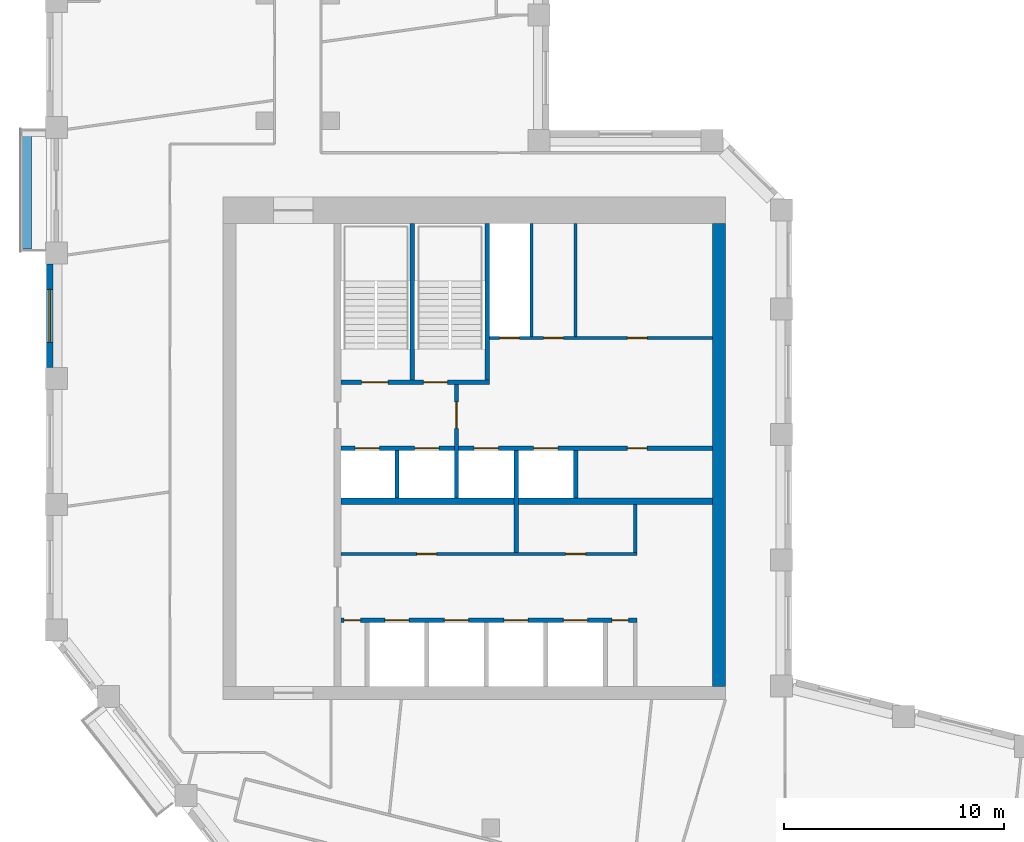
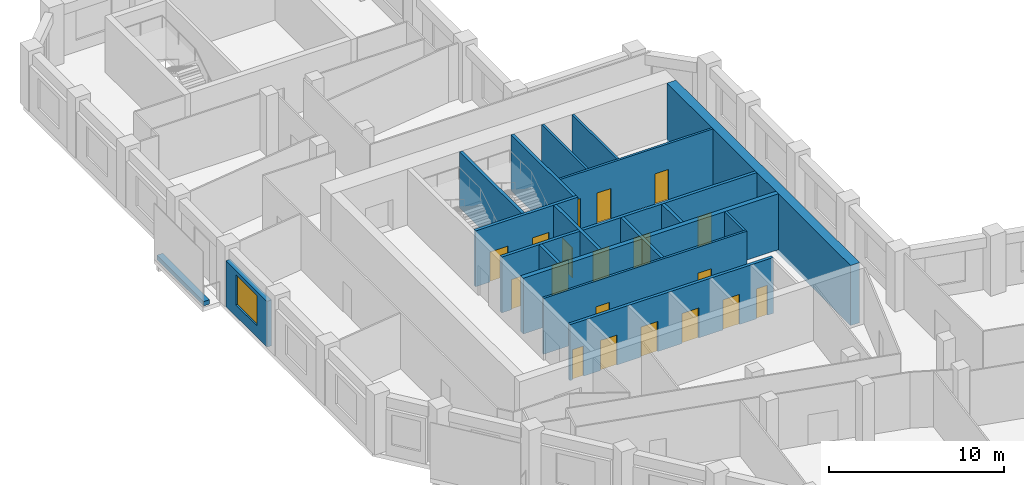
# One storey, part 5 of 9: 19 doors, 18 walls, 1 window, 20 openings.
"""IFC4 building model written with IfcOpenShell, lengths in metres."""

from ifc_helpers import new_model, si_unit, direction, frame, frame_2d, origin, place, context, subcontext, project, spatial, rectangle, extrude, material, layer, layer_set, type_object, element, fill, save


model = new_model("IFC4")

# Units and contexts
model_context = context("Model", 3, precision=1e-05, world=origin(), true_north=direction((0.0, 1.0)))
body_context = subcontext(model_context, "Body", "Model", "MODEL_VIEW")
ifc_project = project(units=[si_unit("LENGTHUNIT", "METRE"), si_unit("AREAUNIT", "SQUARE_METRE"), si_unit("VOLUMEUNIT", "CUBIC_METRE"), si_unit("PLANEANGLEUNIT", "RADIAN"), si_unit("MASSUNIT", "GRAM", prefix="KILO")], contexts=[model_context])

# Site, building, storey
site_placement = place(None, origin())
site = spatial("IfcSite", under=ifc_project, at=site_placement, CompositionType="ELEMENT")
building_placement = place(site_placement, origin())
building = spatial("IfcBuilding", under=site, at=building_placement, Name="Meshkara Civic Tower", CompositionType="ELEMENT")
storey_placement = place(building_placement, frame((0.0, 0.0, 319.199951171875)))
storey = spatial("IfcBuildingStorey", under=building, at=storey_placement, Name="L73", CompositionType="ELEMENT", Elevation=319.199951171875)

# Wall, openings, doors
ifc_material_1 = material(Name="Blockwork", Category="masonry")
ifc_layer_1 = layer(ifc_material_1, 0.14990234375)
ifc_layer_set_1 = layer_set([ifc_layer_1], Name="Core partition 150")
wall_type_1 = type_object("IfcWallType", Name="Core partition 150", PredefinedType="PARTITIONING", material=ifc_layer_set_1)
wall_1_placement = place(storey_placement, frame((13.35009765625, 20.699951171875, 0.0), z_axis=(0.0, 0.0, 1.0), x_axis=(1.0, 0.0, 0.0)))
wall_1 = element("IfcWall", 1, at=wall_1_placement, inside=storey, type_object=wall_type_1, Name="L73-C006", PredefinedType="PARTITIONING", context=body_context, shape_type="SweptSolid", body=[
    extrude(rectangle(XDim=13.4248046875, YDim=0.14990234375, at=frame_2d((6.71240234375, 0.0))), origin(), (0.0, 0.0, 1.0), 3.900146484375),
])
opening_1_placement = place(wall_1_placement, frame((3.449951171875, 0.0, 0.0)))
opening_1 = element("IfcOpeningElement", 2, at=opening_1_placement, cuts=wall_1, Name="Opening L73-K011", PredefinedType="OPENING", context=body_context, shape_type="SweptSolid", body=[
    extrude(rectangle(XDim=0.89990234375, YDim=2.10009765625, at=frame_2d((0.449951171875, 1.050048828125))), frame((0.0, 0.0849609375, 0.0), z_axis=(0.0, -1.0, 0.0), x_axis=(1.0, 0.0, 0.0)), (0.0, 0.0, 1.0), 0.169921875),
])
opening_2_placement = place(wall_1_placement, frame((10.199951171875, 0.0, 0.0)))
opening_2 = element("IfcOpeningElement", 3, at=opening_2_placement, cuts=wall_1, Name="Opening L73-K012", PredefinedType="OPENING", context=body_context, shape_type="SweptSolid", body=[
    extrude(rectangle(XDim=0.89990234375, YDim=2.10009765625, at=frame_2d((0.449951171875, 1.050048828125))), frame((0.0, 0.0849609375, 0.0), z_axis=(0.0, -1.0, 0.0), x_axis=(1.0, 0.0, 0.0)), (0.0, 0.0, 1.0), 0.169921875),
])
ifc_material_2 = material(Name="Timber door leaf in steel frame", Category="steel")
door_type_1 = type_object("IfcDoorType", Name="Core room door 900", OperationType="SINGLE_SWING_LEFT", PredefinedType="DOOR", material=ifc_material_2)
door_1_placement = place(opening_1_placement, origin())
door_1 = element("IfcDoor", 4, at=door_1_placement, inside=storey, type_object=door_type_1, Name="L73-K011", OperationType="SINGLE_SWING_RIGHT", OverallHeight=2.10009765625, OverallWidth=0.89990234375, PredefinedType="DOOR", context=body_context, shape_type="SweptSolid", body=[
    extrude(rectangle(XDim=0.89990234375, YDim=2.10009765625, at=frame_2d((0.449951171875, 1.050048828125))), frame((0.0, 0.02490234375, 0.0), z_axis=(0.0, -1.0, 0.0), x_axis=(1.0, 0.0, 0.0)), (0.0, 0.0, 1.0), 0.050048828125),
])
fill(opening_1, door_1)
door_2_placement = place(opening_2_placement, origin())
door_2 = element("IfcDoor", 5, at=door_2_placement, inside=storey, type_object=door_type_1, Name="L73-K012", OperationType="SINGLE_SWING_RIGHT", OverallHeight=2.10009765625, OverallWidth=0.89990234375, PredefinedType="DOOR", context=body_context, shape_type="SweptSolid", body=[
    extrude(rectangle(XDim=0.89990234375, YDim=2.10009765625, at=frame_2d((0.449951171875, 1.050048828125))), frame((0.0, 0.02490234375, 0.0), z_axis=(0.0, -1.0, 0.0), x_axis=(1.0, 0.0, 0.0)), (0.0, 0.0, 1.0), 0.050048828125),
])
fill(opening_2, door_2)

wall_2_placement = place(storey_placement, frame((20.10009765625, 30.5, 0.0), z_axis=(0.0, 0.0, 1.0), x_axis=(1.0, 0.0, 0.0)))
wall_2 = element("IfcWall", 6, at=wall_2_placement, inside=storey, type_object=wall_type_1, Name="L73-C010", PredefinedType="PARTITIONING", context=body_context, shape_type="SweptSolid", body=[
    extrude(rectangle(XDim=10.099853515625, YDim=0.14990234375, at=frame_2d((5.0498046875, 0.0))), origin(), (0.0, 0.0, 1.0), 3.900146484375),
])
opening_3_placement = place(wall_2_placement, frame((0.449951171875, 0.0, 0.0)))
opening_3 = element("IfcOpeningElement", 7, at=opening_3_placement, cuts=wall_2, Name="Opening L73-K014", PredefinedType="OPENING", context=body_context, shape_type="SweptSolid", body=[
    extrude(rectangle(XDim=0.89990234375, YDim=2.10009765625, at=frame_2d((0.449951171875, 1.050048828125))), frame((0.0, 0.0849609375, 0.0), z_axis=(0.0, -1.0, 0.0), x_axis=(1.0, 0.0, 0.0)), (0.0, 0.0, 1.0), 0.169921875),
])
opening_4_placement = place(wall_2_placement, frame((2.449951171875, 0.0, 0.0)))
opening_4 = element("IfcOpeningElement", 8, at=opening_4_placement, cuts=wall_2, Name="Opening L73-K015", PredefinedType="OPENING", context=body_context, shape_type="SweptSolid", body=[
    extrude(rectangle(XDim=0.89990234375, YDim=2.10009765625, at=frame_2d((0.449951171875, 1.050048828125))), frame((0.0, 0.0849609375, 0.0), z_axis=(0.0, -1.0, 0.0), x_axis=(1.0, 0.0, 0.0)), (0.0, 0.0, 1.0), 0.169921875),
])
opening_5_placement = place(wall_2_placement, frame((6.25, 0.0, 0.0)))
opening_5 = element("IfcOpeningElement", 9, at=opening_5_placement, cuts=wall_2, Name="Opening L73-K016", PredefinedType="OPENING", context=body_context, shape_type="SweptSolid", body=[
    extrude(rectangle(XDim=0.89990234375, YDim=2.10009765625, at=frame_2d((0.449951171875, 1.050048828125))), frame((0.0, 0.0849609375, 0.0), z_axis=(0.0, -1.0, 0.0), x_axis=(1.0, 0.0, 0.0)), (0.0, 0.0, 1.0), 0.169921875),
])
door_3_placement = place(opening_5_placement, origin())
door_3 = element("IfcDoor", 10, at=door_3_placement, inside=storey, type_object=door_type_1, Name="L73-K016", OperationType="SINGLE_SWING_RIGHT", OverallHeight=2.10009765625, OverallWidth=0.89990234375, PredefinedType="DOOR", context=body_context, shape_type="SweptSolid", body=[
    extrude(rectangle(XDim=0.89990234375, YDim=2.10009765625, at=frame_2d((0.449951171875, 1.050048828125))), frame((0.0, 0.02490234375, 0.0), z_axis=(0.0, -1.0, 0.0), x_axis=(1.0, 0.0, 0.0)), (0.0, 0.0, 1.0), 0.050048828125),
])
fill(opening_5, door_3)
ifc_material_3 = material(Name="Fire-rated door leaf in steel frame", Category="steel")
door_type_2 = type_object("IfcDoorType", Name="Riser door 900", OperationType="SINGLE_SWING_LEFT", PredefinedType="DOOR", material=ifc_material_3)
door_4_placement = place(opening_3_placement, origin())
door_4 = element("IfcDoor", 11, at=door_4_placement, inside=storey, type_object=door_type_2, Name="L73-K014", OperationType="SINGLE_SWING_RIGHT", OverallHeight=2.10009765625, OverallWidth=0.89990234375, PredefinedType="DOOR", context=body_context, shape_type="SweptSolid", body=[
    extrude(rectangle(XDim=0.89990234375, YDim=2.10009765625, at=frame_2d((0.449951171875, 1.050048828125))), frame((0.0, 0.02490234375, 0.0), z_axis=(0.0, -1.0, 0.0), x_axis=(1.0, 0.0, 0.0)), (0.0, 0.0, 1.0), 0.050048828125),
])
fill(opening_3, door_4)
ifc_material_4 = material(Name="Timber door leaf in steel frame", Category="steel")
door_type_3 = type_object("IfcDoorType", Name="WC door 900", OperationType="SINGLE_SWING_LEFT", PredefinedType="DOOR", material=ifc_material_4)
door_5_placement = place(opening_4_placement, origin())
door_5 = element("IfcDoor", 12, at=door_5_placement, inside=storey, type_object=door_type_3, Name="L73-K015", OperationType="SINGLE_SWING_LEFT", OverallHeight=2.10009765625, OverallWidth=0.89990234375, PredefinedType="DOOR", context=body_context, shape_type="SweptSolid", body=[
    extrude(rectangle(XDim=0.89990234375, YDim=2.10009765625, at=frame_2d((0.449951171875, 1.050048828125))), frame((0.0, 0.02490234375, 0.0), z_axis=(0.0, -1.0, 0.0), x_axis=(1.0, 0.0, 0.0)), (0.0, 0.0, 1.0), 0.050048828125),
])
fill(opening_4, door_5)

# Walls
for number, where, z_axis, x_axis, name in (
    (13, (22.0, 30.574951171875, 0.0), (0.0, 0.0, 1.0), (0.0, 1.0, 0.0), "L73-C020"),
    (14, (24.0, 30.574951171875, 0.0), (0.0, 0.0, 1.0), (0.0, 1.0, 0.0), "L73-C023"),
):
    element("IfcWall", number, at=place(storey_placement, frame(where, z_axis=z_axis, x_axis=x_axis)), inside=storey, type_object=wall_type_1, Name=name, PredefinedType="PARTITIONING", context=body_context, shape_type="SweptSolid", body=[
        extrude(rectangle(XDim=5.125, YDim=0.14990234375, at=frame_2d((2.5625, 0.0))), origin(), (0.0, 0.0, 1.0), 3.900146484375),
    ])
wall_3_placement = place(storey_placement, frame((26.699951171875, 20.77490234375, 0.0), z_axis=(0.0, 0.0, 1.0), x_axis=(0.0, 1.0, 0.0)))
element("IfcWall", 15, at=wall_3_placement, inside=storey, type_object=wall_type_1, Name="L73-C026", PredefinedType="PARTITIONING", context=body_context, shape_type="SweptSolid", body=[
    extrude(rectangle(XDim=2.175048828125, YDim=0.14990234375, at=frame_2d((1.08740234375, 0.0))), origin(), (0.0, 0.0, 1.0), 3.900146484375),
])
ifc_material_5 = material(Name="Concrete C60", Category="concrete")
ifc_layer_2 = layer(ifc_material_5, 0.60009765625)
ifc_layer_set_2 = layer_set([ifc_layer_2], Name="Core ring wall 600 C60")
wall_type_2 = type_object("IfcWallType", Name="Core ring wall 600 C60", PredefinedType="SHEAR", material=ifc_layer_set_2)
wall_4_placement = place(storey_placement, frame((30.5, 14.699951171875, -0.300048828125), z_axis=(0.0, 0.0, 1.0), x_axis=(0.0, 1.0, 0.0)))
element("IfcWall", 16, at=wall_4_placement, inside=storey, type_object=wall_type_2, Name="L73-C004", PredefinedType="SHEAR", context=body_context, shape_type="SweptSolid", body=[
    extrude(rectangle(XDim=21.0, YDim=0.60009765625, at=frame_2d((10.5, 0.0))), origin(), (0.0, 0.0, 1.0), 4.2001953125),
])
ifc_material_6 = material(Name="Concrete C60", Category="concrete")
ifc_layer_3 = layer(ifc_material_6, 0.300048828125)
ifc_layer_set_3 = layer_set([ifc_layer_3], Name="Core shear wall 300 C60")
wall_type_3 = type_object("IfcWallType", Name="Core shear wall 300 C60", PredefinedType="SHEAR", material=ifc_layer_set_3)
wall_5_placement = place(storey_placement, frame((13.35009765625, 23.10009765625, 0.0), z_axis=(0.0, 0.0, 1.0), x_axis=(1.0, 0.0, 0.0)))
element("IfcWall", 17, at=wall_5_placement, inside=storey, type_object=wall_type_3, Name="L73-C007", PredefinedType="SHEAR", context=body_context, shape_type="SweptSolid", body=[
    extrude(rectangle(XDim=16.849853515625, YDim=0.300048828125, at=frame_2d((8.4248046875, 0.0))), origin(), (0.0, 0.0, 1.0), 3.900146484375),
])

# Wall, opening, window
ifc_material_7 = material(Name="Insulated infill panel with bronze anodised aluminium cladding", Category="aluminium")
ifc_layer_4 = layer(ifc_material_7, 0.300048828125)
ifc_layer_set_4 = layer_set([ifc_layer_4], Name="EXTERNAL INFILL WALL 300")
wall_type_4 = type_object("IfcWallType", Name="EXTERNAL INFILL WALL 300", PredefinedType="SOLIDWALL", material=ifc_layer_set_4)
wall_6_placement = place(storey_placement, frame((0.14990234375, 33.85498046875, 0.0), z_axis=(0.0, 0.0, 1.0), x_axis=(0.0, -1.0, 0.0)))
wall_6 = element("IfcWall", 18, at=wall_6_placement, inside=storey, type_object=wall_type_4, Name="External wall", PredefinedType="SOLIDWALL", context=body_context, shape_type="SweptSolid", body=[
    extrude(rectangle(XDim=4.699951171875, YDim=0.300048828125, at=frame_2d((2.35009765625, 0.0))), origin(), (0.0, 0.0, 1.0), 3.199951171875),
])
opening_6_placement = place(wall_6_placement, frame((1.14990234375, 0.0, 0.800048828125)))
opening_6 = element("IfcOpeningElement", 19, at=opening_6_placement, cuts=wall_6, Name="Opening W7", PredefinedType="OPENING", context=body_context, shape_type="SweptSolid", body=[
    extrude(rectangle(XDim=2.39990234375, YDim=2.10009765625, at=frame_2d((1.199951171875, 1.050048828125))), frame((0.0, 0.159912109375, 0.0), z_axis=(0.0, -1.0, 0.0), x_axis=(1.0, 0.0, 0.0)), (0.0, 0.0, 1.0), 0.320068359375),
])
ifc_material_8 = material(Name="Tinted double glazing", Category="glass")
window_type = type_object("IfcWindowType", Name="WINDOW 2400x2100", PartitioningType="DOUBLE_PANEL_VERTICAL", PredefinedType="WINDOW", material=ifc_material_8)
window_placement = place(opening_6_placement, origin())
window = element("IfcWindow", 20, at=window_placement, inside=storey, type_object=window_type, Name="Window", OverallHeight=2.10009765625, OverallWidth=2.39990234375, PartitioningType="DOUBLE_PANEL_VERTICAL", PredefinedType="WINDOW", context=body_context, shape_type="SweptSolid", body=[
    extrude(rectangle(XDim=2.39990234375, YDim=2.10009765625, at=frame_2d((1.199951171875, 1.050048828125))), frame((0.0, 0.030029296875, 0.0), z_axis=(0.0, -1.0, 0.0), x_axis=(1.0, 0.0, 0.0)), (0.0, 0.0, 1.0), 0.06005859375),
])
fill(opening_6, window)

# Wall
ifc_material_9 = material(Name="Concrete C40", Category="concrete")
ifc_layer_5 = layer(ifc_material_9, 0.39990234375)
ifc_layer_set_5 = layer_set([ifc_layer_5], Name="PLANTER TRAY")
wall_type_5 = type_object("IfcWallType", Name="PLANTER TRAY", PredefinedType="SOLIDWALL", material=ifc_layer_set_5)
wall_7_placement = place(storey_placement, frame((-0.8798828125, 39.885009765625, 0.0), z_axis=(0.0, 0.0, 1.0), x_axis=(0.0, -1.0, 0.0)))
element("IfcWall", 21, at=wall_7_placement, inside=storey, type_object=wall_type_5, Name="Planter", PredefinedType="SOLIDWALL", context=body_context, shape_type="SweptSolid", body=[
    extrude(rectangle(XDim=5.360107421875, YDim=0.39990234375, at=frame_2d((2.68017578125, 0.0))), origin(), (0.0, 0.0, 1.0), 0.300048828125),
])

# Wall, openings, doors
ifc_material_10 = material(Name="Concrete C40/50", Category="concrete")
ifc_layer_6 = layer(ifc_material_10, 0.199951171875)
ifc_layer_set_6 = layer_set([ifc_layer_6], Name="Shaft wall 200 C40/50")
wall_type_6 = type_object("IfcWallType", Name="Shaft wall 200 C40/50", PredefinedType="SOLIDWALL", material=ifc_layer_set_6)
wall_8_placement = place(storey_placement, frame((13.35009765625, 17.699951171875, 0.0), z_axis=(0.0, 0.0, 1.0), x_axis=(1.0, 0.0, 0.0)))
wall_8 = element("IfcWall", 22, at=wall_8_placement, inside=storey, type_object=wall_type_6, Name="L73-C005", PredefinedType="SOLIDWALL", context=body_context, shape_type="SweptSolid", body=[
    extrude(rectangle(XDim=13.4248046875, YDim=0.199951171875, at=frame_2d((6.71240234375, 0.0))), origin(), (0.0, 0.0, 1.0), 3.900146484375),
])
opening_7_placement = place(wall_8_placement, frame((2.0, 0.0, 0.0)))
opening_7 = element("IfcOpeningElement", 23, at=opening_7_placement, cuts=wall_8, Name="Opening L73-K001", PredefinedType="OPENING", context=body_context, shape_type="SweptSolid", body=[
    extrude(rectangle(XDim=1.10009765625, YDim=2.10009765625, at=frame_2d((0.550048828125, 1.050048828125))), frame((0.0, 0.10986328125, 0.0), z_axis=(0.0, -1.0, 0.0), x_axis=(1.0, 0.0, 0.0)), (0.0, 0.0, 1.0), 0.219970703125),
])
opening_8_placement = place(wall_8_placement, frame((4.699951171875, 0.0, 0.0)))
opening_8 = element("IfcOpeningElement", 24, at=opening_8_placement, cuts=wall_8, Name="Opening L73-K002", PredefinedType="OPENING", context=body_context, shape_type="SweptSolid", body=[
    extrude(rectangle(XDim=1.10009765625, YDim=2.10009765625, at=frame_2d((0.550048828125, 1.050048828125))), frame((0.0, 0.10986328125, 0.0), z_axis=(0.0, -1.0, 0.0), x_axis=(1.0, 0.0, 0.0)), (0.0, 0.0, 1.0), 0.219970703125),
])
opening_9_placement = place(wall_8_placement, frame((7.39990234375, 0.0, 0.0)))
opening_9 = element("IfcOpeningElement", 25, at=opening_9_placement, cuts=wall_8, Name="Opening L73-K003", PredefinedType="OPENING", context=body_context, shape_type="SweptSolid", body=[
    extrude(rectangle(XDim=1.10009765625, YDim=2.10009765625, at=frame_2d((0.550048828125, 1.050048828125))), frame((0.0, 0.10986328125, 0.0), z_axis=(0.0, -1.0, 0.0), x_axis=(1.0, 0.0, 0.0)), (0.0, 0.0, 1.0), 0.219970703125),
])
opening_10_placement = place(wall_8_placement, frame((10.10009765625, 0.0, 0.0)))
opening_10 = element("IfcOpeningElement", 26, at=opening_10_placement, cuts=wall_8, Name="Opening L73-K004", PredefinedType="OPENING", context=body_context, shape_type="SweptSolid", body=[
    extrude(rectangle(XDim=1.10009765625, YDim=2.10009765625, at=frame_2d((0.550048828125, 1.050048828125))), frame((0.0, 0.10986328125, 0.0), z_axis=(0.0, -1.0, 0.0), x_axis=(1.0, 0.0, 0.0)), (0.0, 0.0, 1.0), 0.219970703125),
])
opening_11_placement = place(wall_8_placement, frame((0.14990234375, 0.0, 0.0)))
opening_11 = element("IfcOpeningElement", 27, at=opening_11_placement, cuts=wall_8, Name="Opening L73-K009", PredefinedType="OPENING", context=body_context, shape_type="SweptSolid", body=[
    extrude(rectangle(XDim=0.75, YDim=2.10009765625, at=frame_2d((0.375, 1.050048828125))), frame((0.0, 0.10986328125, 0.0), z_axis=(0.0, -1.0, 0.0), x_axis=(1.0, 0.0, 0.0)), (0.0, 0.0, 1.0), 0.219970703125),
])
opening_12_placement = place(wall_8_placement, frame((12.300048828125, 0.0, 0.0)))
opening_12 = element("IfcOpeningElement", 28, at=opening_12_placement, cuts=wall_8, Name="Opening L73-K010", PredefinedType="OPENING", context=body_context, shape_type="SweptSolid", body=[
    extrude(rectangle(XDim=0.75, YDim=2.10009765625, at=frame_2d((0.375, 1.050048828125))), frame((0.0, 0.10986328125, 0.0), z_axis=(0.0, -1.0, 0.0), x_axis=(1.0, 0.0, 0.0)), (0.0, 0.0, 1.0), 0.219970703125),
])
ifc_material_11 = material(Name="Timber door leaf in steel frame", Category="steel")
door_type_4 = type_object("IfcDoorType", Name="Core room door 750", OperationType="SINGLE_SWING_LEFT", PredefinedType="DOOR", material=ifc_material_11)
door_6_placement = place(opening_11_placement, origin())
door_6 = element("IfcDoor", 29, at=door_6_placement, inside=storey, type_object=door_type_4, Name="L73-K009", OperationType="SINGLE_SWING_RIGHT", OverallHeight=2.10009765625, OverallWidth=0.75, PredefinedType="DOOR", context=body_context, shape_type="SweptSolid", body=[
    extrude(rectangle(XDim=0.75, YDim=2.10009765625, at=frame_2d((0.375, 1.050048828125))), frame((0.0, 0.02490234375, 0.0), z_axis=(0.0, -1.0, 0.0), x_axis=(1.0, 0.0, 0.0)), (0.0, 0.0, 1.0), 0.050048828125),
])
fill(opening_11, door_6)
door_7_placement = place(opening_12_placement, origin())
door_7 = element("IfcDoor", 30, at=door_7_placement, inside=storey, type_object=door_type_4, Name="L73-K010", OperationType="SINGLE_SWING_RIGHT", OverallHeight=2.10009765625, OverallWidth=0.75, PredefinedType="DOOR", context=body_context, shape_type="SweptSolid", body=[
    extrude(rectangle(XDim=0.75, YDim=2.10009765625, at=frame_2d((0.375, 1.050048828125))), frame((0.0, 0.02490234375, 0.0), z_axis=(0.0, -1.0, 0.0), x_axis=(1.0, 0.0, 0.0)), (0.0, 0.0, 1.0), 0.050048828125),
])
fill(opening_12, door_7)
ifc_material_12 = material(Name="Stainless steel landing door", Category="steel")
door_type_5 = type_object("IfcDoorType", Name="Lift landing door 1100", OperationType="SLIDING_TO_LEFT", PredefinedType="DOOR", material=ifc_material_12)
door_8_placement = place(opening_7_placement, origin())
door_8 = element("IfcDoor", 31, at=door_8_placement, inside=storey, type_object=door_type_5, Name="L73-K001", OperationType="SLIDING_TO_LEFT", OverallHeight=2.10009765625, OverallWidth=1.10009765625, PredefinedType="DOOR", context=body_context, shape_type="SweptSolid", body=[
    extrude(rectangle(XDim=1.10009765625, YDim=2.10009765625, at=frame_2d((0.550048828125, 1.050048828125))), frame((0.0, 0.02490234375, 0.0), z_axis=(0.0, -1.0, 0.0), x_axis=(1.0, 0.0, 0.0)), (0.0, 0.0, 1.0), 0.050048828125),
])
fill(opening_7, door_8)
door_9_placement = place(opening_8_placement, origin())
door_9 = element("IfcDoor", 32, at=door_9_placement, inside=storey, type_object=door_type_5, Name="L73-K002", OperationType="SLIDING_TO_LEFT", OverallHeight=2.10009765625, OverallWidth=1.10009765625, PredefinedType="DOOR", context=body_context, shape_type="SweptSolid", body=[
    extrude(rectangle(XDim=1.10009765625, YDim=2.10009765625, at=frame_2d((0.550048828125, 1.050048828125))), frame((0.0, 0.02490234375, 0.0), z_axis=(0.0, -1.0, 0.0), x_axis=(1.0, 0.0, 0.0)), (0.0, 0.0, 1.0), 0.050048828125),
])
fill(opening_8, door_9)
door_10_placement = place(opening_9_placement, origin())
door_10 = element("IfcDoor", 33, at=door_10_placement, inside=storey, type_object=door_type_5, Name="L73-K003", OperationType="SLIDING_TO_LEFT", OverallHeight=2.10009765625, OverallWidth=1.10009765625, PredefinedType="DOOR", context=body_context, shape_type="SweptSolid", body=[
    extrude(rectangle(XDim=1.10009765625, YDim=2.10009765625, at=frame_2d((0.550048828125, 1.050048828125))), frame((0.0, 0.02490234375, 0.0), z_axis=(0.0, -1.0, 0.0), x_axis=(1.0, 0.0, 0.0)), (0.0, 0.0, 1.0), 0.050048828125),
])
fill(opening_9, door_10)
door_11_placement = place(opening_10_placement, origin())
door_11 = element("IfcDoor", 34, at=door_11_placement, inside=storey, type_object=door_type_5, Name="L73-K004", OperationType="SLIDING_TO_LEFT", OverallHeight=2.10009765625, OverallWidth=1.10009765625, PredefinedType="DOOR", context=body_context, shape_type="SweptSolid", body=[
    extrude(rectangle(XDim=1.10009765625, YDim=2.10009765625, at=frame_2d((0.550048828125, 1.050048828125))), frame((0.0, 0.02490234375, 0.0), z_axis=(0.0, -1.0, 0.0), x_axis=(1.0, 0.0, 0.0)), (0.0, 0.0, 1.0), 0.050048828125),
])
fill(opening_10, door_11)

wall_9_placement = place(storey_placement, frame((13.35009765625, 25.5, 0.0), z_axis=(0.0, 0.0, 1.0), x_axis=(1.0, 0.0, 0.0)))
wall_9 = element("IfcWall", 35, at=wall_9_placement, inside=storey, type_object=wall_type_6, Name="L73-C008", PredefinedType="SOLIDWALL", context=body_context, shape_type="SweptSolid", body=[
    extrude(rectangle(XDim=16.849853515625, YDim=0.199951171875, at=frame_2d((8.4248046875, 0.0))), origin(), (0.0, 0.0, 1.0), 3.900146484375),
])
opening_13_placement = place(wall_9_placement, frame((0.64990234375, 0.0, 0.0)))
opening_13 = element("IfcOpeningElement", 36, at=opening_13_placement, cuts=wall_9, Name="Opening L73-K005", PredefinedType="OPENING", context=body_context, shape_type="SweptSolid", body=[
    extrude(rectangle(XDim=1.10009765625, YDim=2.10009765625, at=frame_2d((0.550048828125, 1.050048828125))), frame((0.0, 0.10986328125, 0.0), z_axis=(0.0, -1.0, 0.0), x_axis=(1.0, 0.0, 0.0)), (0.0, 0.0, 1.0), 0.219970703125),
])
opening_14_placement = place(wall_9_placement, frame((3.35009765625, 0.0, 0.0)))
opening_14 = element("IfcOpeningElement", 37, at=opening_14_placement, cuts=wall_9, Name="Opening L73-K006", PredefinedType="OPENING", context=body_context, shape_type="SweptSolid", body=[
    extrude(rectangle(XDim=1.10009765625, YDim=2.10009765625, at=frame_2d((0.550048828125, 1.050048828125))), frame((0.0, 0.10986328125, 0.0), z_axis=(0.0, -1.0, 0.0), x_axis=(1.0, 0.0, 0.0)), (0.0, 0.0, 1.0), 0.219970703125),
])
opening_15_placement = place(wall_9_placement, frame((6.050048828125, 0.0, 0.0)))
opening_15 = element("IfcOpeningElement", 38, at=opening_15_placement, cuts=wall_9, Name="Opening L73-K007", PredefinedType="OPENING", context=body_context, shape_type="SweptSolid", body=[
    extrude(rectangle(XDim=1.10009765625, YDim=2.10009765625, at=frame_2d((0.550048828125, 1.050048828125))), frame((0.0, 0.10986328125, 0.0), z_axis=(0.0, -1.0, 0.0), x_axis=(1.0, 0.0, 0.0)), (0.0, 0.0, 1.0), 0.219970703125),
])
opening_16_placement = place(wall_9_placement, frame((8.75, 0.0, 0.0)))
opening_16 = element("IfcOpeningElement", 39, at=opening_16_placement, cuts=wall_9, Name="Opening L73-K008", PredefinedType="OPENING", context=body_context, shape_type="SweptSolid", body=[
    extrude(rectangle(XDim=1.10009765625, YDim=2.10009765625, at=frame_2d((0.550048828125, 1.050048828125))), frame((0.0, 0.10986328125, 0.0), z_axis=(0.0, -1.0, 0.0), x_axis=(1.0, 0.0, 0.0)), (0.0, 0.0, 1.0), 0.219970703125),
])
opening_17_placement = place(wall_9_placement, frame((13.0, 0.0, 0.0)))
opening_17 = element("IfcOpeningElement", 40, at=opening_17_placement, cuts=wall_9, Name="Opening L73-K013", PredefinedType="OPENING", context=body_context, shape_type="SweptSolid", body=[
    extrude(rectangle(XDim=0.89990234375, YDim=2.10009765625, at=frame_2d((0.449951171875, 1.050048828125))), frame((0.0, 0.10986328125, 0.0), z_axis=(0.0, -1.0, 0.0), x_axis=(1.0, 0.0, 0.0)), (0.0, 0.0, 1.0), 0.219970703125),
])
door_12_placement = place(opening_17_placement, origin())
door_12 = element("IfcDoor", 41, at=door_12_placement, inside=storey, type_object=door_type_1, Name="L73-K013", OperationType="SINGLE_SWING_LEFT", OverallHeight=2.10009765625, OverallWidth=0.89990234375, PredefinedType="DOOR", context=body_context, shape_type="SweptSolid", body=[
    extrude(rectangle(XDim=0.89990234375, YDim=2.10009765625, at=frame_2d((0.449951171875, 1.050048828125))), frame((0.0, 0.02490234375, 0.0), z_axis=(0.0, -1.0, 0.0), x_axis=(1.0, 0.0, 0.0)), (0.0, 0.0, 1.0), 0.050048828125),
])
fill(opening_17, door_12)
door_13_placement = place(opening_13_placement, origin())
door_13 = element("IfcDoor", 42, at=door_13_placement, inside=storey, type_object=door_type_5, Name="L73-K005", OperationType="SLIDING_TO_LEFT", OverallHeight=2.10009765625, OverallWidth=1.10009765625, PredefinedType="DOOR", context=body_context, shape_type="SweptSolid", body=[
    extrude(rectangle(XDim=1.10009765625, YDim=2.10009765625, at=frame_2d((0.550048828125, 1.050048828125))), frame((0.0, 0.02490234375, 0.0), z_axis=(0.0, -1.0, 0.0), x_axis=(1.0, 0.0, 0.0)), (0.0, 0.0, 1.0), 0.050048828125),
])
fill(opening_13, door_13)
door_14_placement = place(opening_14_placement, origin())
door_14 = element("IfcDoor", 43, at=door_14_placement, inside=storey, type_object=door_type_5, Name="L73-K006", OperationType="SLIDING_TO_LEFT", OverallHeight=2.10009765625, OverallWidth=1.10009765625, PredefinedType="DOOR", context=body_context, shape_type="SweptSolid", body=[
    extrude(rectangle(XDim=1.10009765625, YDim=2.10009765625, at=frame_2d((0.550048828125, 1.050048828125))), frame((0.0, 0.02490234375, 0.0), z_axis=(0.0, -1.0, 0.0), x_axis=(1.0, 0.0, 0.0)), (0.0, 0.0, 1.0), 0.050048828125),
])
fill(opening_14, door_14)
door_15_placement = place(opening_15_placement, origin())
door_15 = element("IfcDoor", 44, at=door_15_placement, inside=storey, type_object=door_type_5, Name="L73-K007", OperationType="SLIDING_TO_LEFT", OverallHeight=2.10009765625, OverallWidth=1.10009765625, PredefinedType="DOOR", context=body_context, shape_type="SweptSolid", body=[
    extrude(rectangle(XDim=1.10009765625, YDim=2.10009765625, at=frame_2d((0.550048828125, 1.050048828125))), frame((0.0, 0.02490234375, 0.0), z_axis=(0.0, -1.0, 0.0), x_axis=(1.0, 0.0, 0.0)), (0.0, 0.0, 1.0), 0.050048828125),
])
fill(opening_15, door_15)
door_16_placement = place(opening_16_placement, origin())
door_16 = element("IfcDoor", 45, at=door_16_placement, inside=storey, type_object=door_type_5, Name="L73-K008", OperationType="SLIDING_TO_LEFT", OverallHeight=2.10009765625, OverallWidth=1.10009765625, PredefinedType="DOOR", context=body_context, shape_type="SweptSolid", body=[
    extrude(rectangle(XDim=1.10009765625, YDim=2.10009765625, at=frame_2d((0.550048828125, 1.050048828125))), frame((0.0, 0.02490234375, 0.0), z_axis=(0.0, -1.0, 0.0), x_axis=(1.0, 0.0, 0.0)), (0.0, 0.0, 1.0), 0.050048828125),
])
fill(opening_16, door_16)

# Wall
wall_10_placement = place(storey_placement, frame((15.89990234375, 23.25, 0.0), z_axis=(0.0, 0.0, 1.0), x_axis=(0.0, 1.0, 0.0)))
element("IfcWall", 46, at=wall_10_placement, inside=storey, type_object=wall_type_6, Name="L73-C013", PredefinedType="SOLIDWALL", context=body_context, shape_type="SweptSolid", body=[
    extrude(rectangle(XDim=2.14990234375, YDim=0.199951171875, at=frame_2d((1.074951171875, 0.0))), origin(), (0.0, 0.0, 1.0), 3.900146484375),
])

# Wall, opening, door
wall_11_placement = place(storey_placement, frame((18.60009765625, 23.25, 0.0), z_axis=(0.0, 0.0, 1.0), x_axis=(0.0, 1.0, 0.0)))
wall_11 = element("IfcWall", 47, at=wall_11_placement, inside=storey, type_object=wall_type_6, Name="L73-C016", PredefinedType="SOLIDWALL", context=body_context, shape_type="SweptSolid", body=[
    extrude(rectangle(XDim=5.14990234375, YDim=0.199951171875, at=frame_2d((2.574951171875, 0.0))), origin(), (0.0, 0.0, 1.0), 3.900146484375),
])
opening_18_placement = place(wall_11_placement, frame((3.14990234375, 0.0, 0.0)))
opening_18 = element("IfcOpeningElement", 48, at=opening_18_placement, cuts=wall_11, Name="Opening L73-K021", PredefinedType="OPENING", context=body_context, shape_type="SweptSolid", body=[
    extrude(rectangle(XDim=1.199951171875, YDim=2.10009765625, at=frame_2d((0.60009765625, 1.050048828125))), frame((0.0, 0.10986328125, 0.0), z_axis=(0.0, -1.0, 0.0), x_axis=(1.0, 0.0, 0.0)), (0.0, 0.0, 1.0), 0.219970703125),
])
ifc_material_13 = material(Name="Fire-rated door leaf in steel frame", Category="steel")
door_type_6 = type_object("IfcDoorType", Name="Fire-fighting lobby door 1200 EI 120", OperationType="SINGLE_SWING_LEFT", PredefinedType="DOOR", material=ifc_material_13)
door_17_placement = place(opening_18_placement, origin())
door_17 = element("IfcDoor", 49, at=door_17_placement, inside=storey, type_object=door_type_6, Name="L73-K021", OperationType="SINGLE_SWING_RIGHT", OverallHeight=2.10009765625, OverallWidth=1.199951171875, PredefinedType="DOOR", context=body_context, shape_type="SweptSolid", body=[
    extrude(rectangle(XDim=1.199951171875, YDim=2.10009765625, at=frame_2d((0.60009765625, 1.050048828125))), frame((0.0, 0.02490234375, 0.0), z_axis=(0.0, -1.0, 0.0), x_axis=(1.0, 0.0, 0.0)), (0.0, 0.0, 1.0), 0.050048828125),
])
fill(opening_18, door_17)

# Walls
wall_12_placement = place(storey_placement, frame((21.300048828125, 20.77490234375, 0.0), z_axis=(0.0, 0.0, 1.0), x_axis=(0.0, 1.0, 0.0)))
element("IfcWall", 50, at=wall_12_placement, inside=storey, type_object=wall_type_6, Name="L73-C019", PredefinedType="SOLIDWALL", context=body_context, shape_type="SweptSolid", body=[
    extrude(rectangle(XDim=4.625, YDim=0.199951171875, at=frame_2d((2.3125, 0.0))), origin(), (0.0, 0.0, 1.0), 3.900146484375),
])
wall_13_placement = place(storey_placement, frame((24.0, 23.25, 0.0), z_axis=(0.0, 0.0, 1.0), x_axis=(0.0, 1.0, 0.0)))
element("IfcWall", 51, at=wall_13_placement, inside=storey, type_object=wall_type_6, Name="L73-C022", PredefinedType="SOLIDWALL", context=body_context, shape_type="SweptSolid", body=[
    extrude(rectangle(XDim=2.14990234375, YDim=0.199951171875, at=frame_2d((1.074951171875, 0.0))), origin(), (0.0, 0.0, 1.0), 3.900146484375),
])

# Wall, openings, doors
ifc_material_14 = material(Name="Concrete C40/50", Category="concrete")
ifc_layer_7 = layer(ifc_material_14, 0.199951171875)
ifc_layer_set_7 = layer_set([ifc_layer_7], Name="Stair enclosure wall 200 C40/50")
wall_type_7 = type_object("IfcWallType", Name="Stair enclosure wall 200 C40/50", PredefinedType="SOLIDWALL", material=ifc_layer_set_7)
wall_14_placement = place(storey_placement, frame((13.35009765625, 28.5, 0.0), z_axis=(0.0, 0.0, 1.0), x_axis=(1.0, 0.0, 0.0)))
wall_14 = element("IfcWall", 52, at=wall_14_placement, inside=storey, type_object=wall_type_7, Name="L73-C009", PredefinedType="SOLIDWALL", context=body_context, shape_type="SweptSolid", body=[
    extrude(rectangle(XDim=6.75, YDim=0.199951171875, at=frame_2d((3.375, 0.0))), origin(), (0.0, 0.0, 1.0), 3.900146484375),
])
opening_19_placement = place(wall_14_placement, frame((0.949951171875, 0.0, 0.0)))
opening_19 = element("IfcOpeningElement", 53, at=opening_19_placement, cuts=wall_14, Name="Opening L73-K017", PredefinedType="OPENING", context=body_context, shape_type="SweptSolid", body=[
    extrude(rectangle(XDim=1.199951171875, YDim=2.10009765625, at=frame_2d((0.60009765625, 1.050048828125))), frame((0.0, 0.10986328125, 0.0), z_axis=(0.0, -1.0, 0.0), x_axis=(1.0, 0.0, 0.0)), (0.0, 0.0, 1.0), 0.219970703125),
])
opening_20_placement = place(wall_14_placement, frame((3.75, 0.0, 0.0)))
opening_20 = element("IfcOpeningElement", 54, at=opening_20_placement, cuts=wall_14, Name="Opening L73-K018", PredefinedType="OPENING", context=body_context, shape_type="SweptSolid", body=[
    extrude(rectangle(XDim=1.10009765625, YDim=2.10009765625, at=frame_2d((0.550048828125, 1.050048828125))), frame((0.0, 0.10986328125, 0.0), z_axis=(0.0, -1.0, 0.0), x_axis=(1.0, 0.0, 0.0)), (0.0, 0.0, 1.0), 0.219970703125),
])
ifc_material_15 = material(Name="Fire-rated door leaf in steel frame", Category="steel")
door_type_7 = type_object("IfcDoorType", Name="Stair door 1100 EI 120", OperationType="SINGLE_SWING_LEFT", PredefinedType="DOOR", material=ifc_material_15)
door_18_placement = place(opening_20_placement, origin())
door_18 = element("IfcDoor", 55, at=door_18_placement, inside=storey, type_object=door_type_7, Name="L73-K018", OperationType="SINGLE_SWING_LEFT", OverallHeight=2.10009765625, OverallWidth=1.10009765625, PredefinedType="DOOR", context=body_context, shape_type="SweptSolid", body=[
    extrude(rectangle(XDim=1.10009765625, YDim=2.10009765625, at=frame_2d((0.550048828125, 1.050048828125))), frame((0.0, 0.02490234375, 0.0), z_axis=(0.0, -1.0, 0.0), x_axis=(1.0, 0.0, 0.0)), (0.0, 0.0, 1.0), 0.050048828125),
])
fill(opening_20, door_18)
ifc_material_16 = material(Name="Fire-rated door leaf in steel frame", Category="steel")
door_type_8 = type_object("IfcDoorType", Name="Stair door 1200 EI 120", OperationType="SINGLE_SWING_LEFT", PredefinedType="DOOR", material=ifc_material_16)
door_19_placement = place(opening_19_placement, origin())
door_19 = element("IfcDoor", 56, at=door_19_placement, inside=storey, type_object=door_type_8, Name="L73-K017", OperationType="SINGLE_SWING_RIGHT", OverallHeight=2.10009765625, OverallWidth=1.199951171875, PredefinedType="DOOR", context=body_context, shape_type="SweptSolid", body=[
    extrude(rectangle(XDim=1.199951171875, YDim=2.10009765625, at=frame_2d((0.60009765625, 1.050048828125))), frame((0.0, 0.02490234375, 0.0), z_axis=(0.0, -1.0, 0.0), x_axis=(1.0, 0.0, 0.0)), (0.0, 0.0, 1.0), 0.050048828125),
])
fill(opening_19, door_19)

# Walls
for number, where, z_axis, x_axis, name in (
    (57, (16.60009765625, 28.60009765625, 0.0), (0.0, 0.0, 1.0), (0.0, 1.0, 0.0), "L73-C014"),
    (58, (20.0, 28.60009765625, 0.0), (0.0, 0.0, 1.0), (0.0, 1.0, 0.0), "L73-C018"),
):
    element("IfcWall", number, at=place(storey_placement, frame(where, z_axis=z_axis, x_axis=x_axis)), inside=storey, type_object=wall_type_7, Name=name, PredefinedType="SOLIDWALL", context=body_context, shape_type="SweptSolid", body=[
        extrude(rectangle(XDim=7.099853515625, YDim=0.199951171875, at=frame_2d((3.5498046875, 0.0))), origin(), (0.0, 0.0, 1.0), 3.900146484375),
    ])

save(model, "model.ifc")
